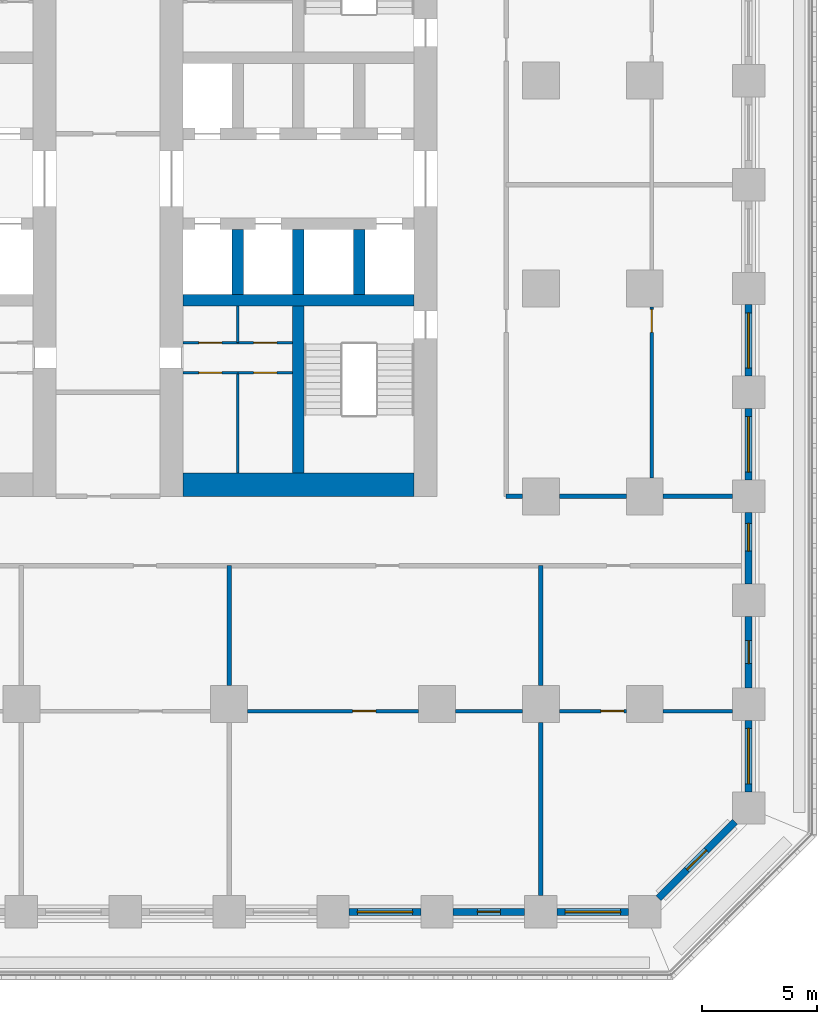
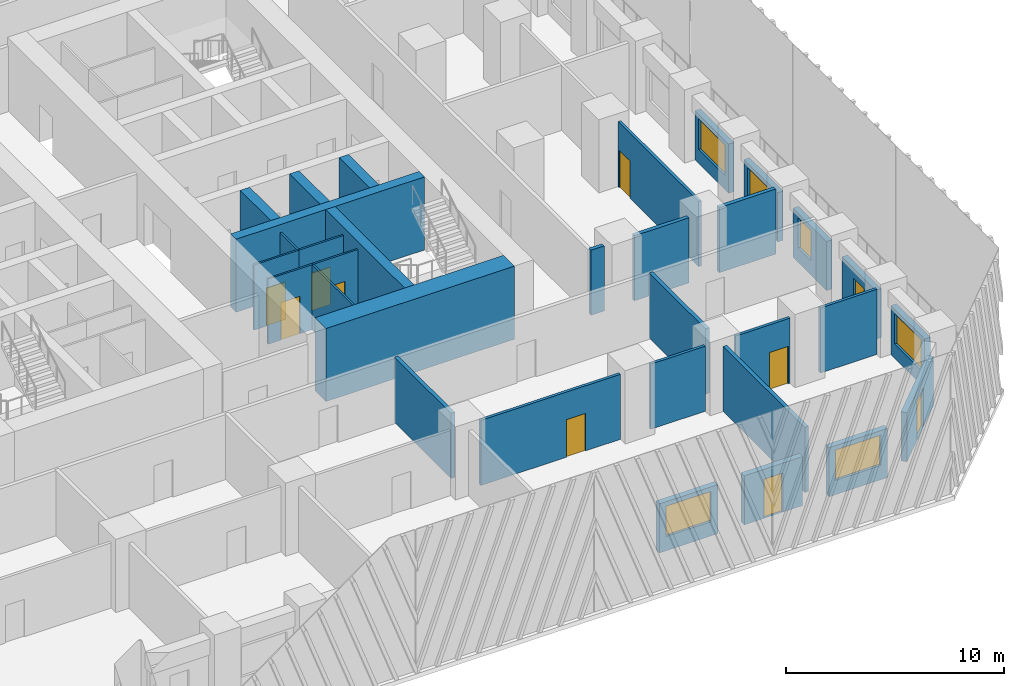
# One storey, part 4 of 14: 32 walls, 10 doors, 6 windows, 16 openings.
"""IFC4 building model written with IfcOpenShell, lengths in metres."""

from ifc_helpers import new_model, si_unit, direction, frame, frame_2d, origin, place, context, subcontext, project, spatial, rectangle, extrude, material, layer, layer_set, type_object, element, fill, save


model = new_model("IFC4")

# Units and contexts
model_context = context("Model", 3, precision=1e-05, world=origin(), true_north=direction((0.0, 1.0)))
body_context = subcontext(model_context, "Body", "Model", "MODEL_VIEW")
ifc_project = project(units=[si_unit("LENGTHUNIT", "METRE"), si_unit("AREAUNIT", "SQUARE_METRE"), si_unit("VOLUMEUNIT", "CUBIC_METRE"), si_unit("PLANEANGLEUNIT", "RADIAN"), si_unit("MASSUNIT", "GRAM", prefix="KILO")], contexts=[model_context])

# Site, building, storey
site_placement = place(None, origin())
site = spatial("IfcSite", under=ifc_project, at=site_placement, CompositionType="ELEMENT")
building_placement = place(site_placement, origin())
building = spatial("IfcBuilding", under=site, at=building_placement, Name="Corbel Stack Research Tower", CompositionType="ELEMENT")
storey_placement = place(building_placement, frame((0.0, 0.0, 58.300048828125)))
storey = spatial("IfcBuildingStorey", under=building, at=storey_placement, Name="L13", CompositionType="ELEMENT", Elevation=58.300048828125)

# Walls
ifc_material_1 = material(Name="Concrete C70/85", Category="concrete")
ifc_layer_1 = layer(ifc_material_1, 1.0)
ifc_layer_set_1 = layer_set([ifc_layer_1], Name="Concrete C70/85")
wall_type_1 = type_object("IfcWallType", Name="CW-1000-70", PredefinedType="SHEAR", material=ifc_layer_set_1)
wall_1_placement = place(storey_placement, frame((7.0, -8.5, 0.0), z_axis=(0.0, 0.0, 1.0), x_axis=(1.0, 0.0, 0.0)))
element("IfcWall", 1, at=wall_1_placement, inside=storey, type_object=wall_type_1, Name="East core wall, south end L13", PredefinedType="SHEAR", context=body_context, shape_type="SweptSolid", body=[
    extrude(rectangle(XDim=10.0, YDim=1.0, at=frame_2d((5.0, 0.0))), origin(), (0.0, 0.0, 1.0), 4.099853515625),
])
ifc_material_2 = material(Name="Concrete C70/85", Category="concrete")
ifc_layer_2 = layer(ifc_material_2, 0.5)
ifc_layer_set_2 = layer_set([ifc_layer_2], Name="Concrete C70/85")
wall_type_2 = type_object("IfcWallType", Name="CW-500-70", PredefinedType="SHEAR", material=ifc_layer_set_2)
wall_2_placement = place(storey_placement, frame((7.0, -0.5, 0.0), z_axis=(0.0, 0.0, 1.0), x_axis=(1.0, 0.0, 0.0)))
element("IfcWall", 2, at=wall_2_placement, inside=storey, type_object=wall_type_2, Name="East core wall, south row back L13", PredefinedType="SHEAR", context=body_context, shape_type="SweptSolid", body=[
    extrude(rectangle(XDim=10.0, YDim=0.5, at=frame_2d((5.0, 0.0))), origin(), (0.0, 0.0, 1.0), 4.099853515625),
])
for number, where, z_axis, x_axis, name in (
    (3, (9.375, -0.25, 0.0), (0.0, 0.0, 1.0), (0.0, 1.0, 0.0), "East core wall, south shaft 1 L13"),
    (4, (12.0, -0.25, 0.0), (0.0, 0.0, 1.0), (0.0, 1.0, 0.0), "East core wall, south shaft 2 L13"),
    (5, (14.625, -0.25, 0.0), (0.0, 0.0, 1.0), (0.0, 1.0, 0.0), "East core wall, south shaft 3 L13"),
):
    element("IfcWall", number, at=place(storey_placement, frame(where, z_axis=z_axis, x_axis=x_axis)), inside=storey, type_object=wall_type_2, Name=name, PredefinedType="SHEAR", context=body_context, shape_type="SweptSolid", body=[
        extrude(rectangle(XDim=2.800048828125, YDim=0.5, at=frame_2d((1.39990234375, 0.0))), origin(), (0.0, 0.0, 1.0), 4.099853515625),
    ])
wall_3_placement = place(storey_placement, frame((12.0, -8.0, 0.0), z_axis=(0.0, 0.0, 1.0), x_axis=(0.0, 1.0, 0.0)))
element("IfcWall", 6, at=wall_3_placement, inside=storey, type_object=wall_type_2, Name="East core wall, south stair and WC L13", PredefinedType="SHEAR", context=body_context, shape_type="SweptSolid", body=[
    extrude(rectangle(XDim=7.25, YDim=0.5, at=frame_2d((3.625, 0.0))), origin(), (0.0, 0.0, 1.0), 4.099853515625),
])

# Wall, opening, door
ifc_material_3 = material(Name="Gypsum board")
ifc_layer_3 = layer(ifc_material_3, 0.10009765625)
ifc_layer_set_3 = layer_set([ifc_layer_3], Name="Gypsum board")
wall_type_3 = type_object("IfcWallType", Name="Core partition 100", PredefinedType="PARTITIONING", material=ifc_layer_set_3)
wall_4_placement = place(storey_placement, frame((7.0, -3.64990234375, 0.0), z_axis=(0.0, 0.0, 1.0), x_axis=(1.0, 0.0, 0.0)))
wall_4 = element("IfcWall", 7, at=wall_4_placement, inside=storey, type_object=wall_type_3, Name="Core partition E", PredefinedType="PARTITIONING", context=body_context, shape_type="SweptSolid", body=[
    extrude(rectangle(XDim=2.375, YDim=0.10009765625, at=frame_2d((1.1875, 0.0))), origin(), (0.0, 0.0, 1.0), 3.64990234375),
])
opening_1_placement = place(wall_4_placement, frame((0.6875, 0.0, 0.0)))
opening_1 = element("IfcOpeningElement", 8, at=opening_1_placement, cuts=wall_4, Name="Opening CR-E54-W2-1000", PredefinedType="OPENING", context=body_context, shape_type="SweptSolid", body=[
    extrude(rectangle(XDim=1.0, YDim=2.10009765625, at=frame_2d((0.5, 1.050048828125))), frame((0.0, 0.06005859375, 0.0), z_axis=(0.0, -1.0, 0.0), x_axis=(1.0, 0.0, 0.0)), (0.0, 0.0, 1.0), 0.1201171875),
])
ifc_material_4 = material(Name="Painted timber door", Category="wood")
door_type_1 = type_object("IfcDoorType", Name="WC door 1000 x 2100 left hand", OperationType="SINGLE_SWING_LEFT", PredefinedType="DOOR", material=ifc_material_4)
door_1_placement = place(opening_1_placement, origin())
door_1 = element("IfcDoor", 9, at=door_1_placement, inside=storey, type_object=door_type_1, Name="Women's WC door E core", OperationType="SINGLE_SWING_LEFT", OverallHeight=2.10009765625, OverallWidth=1.0, PredefinedType="DOOR", context=body_context, shape_type="SweptSolid", body=[
    extrude(rectangle(XDim=1.0, YDim=2.10009765625, at=frame_2d((0.5, 1.050048828125))), frame((0.0, 0.02490234375, 0.0), z_axis=(0.0, -1.0, 0.0), x_axis=(1.0, 0.0, 0.0)), (0.0, 0.0, 1.0), 0.050048828125),
])
fill(opening_1, door_1)

wall_5_placement = place(storey_placement, frame((9.375, -3.64990234375, 0.0), z_axis=(0.0, 0.0, 1.0), x_axis=(1.0, 0.0, 0.0)))
wall_5 = element("IfcWall", 10, at=wall_5_placement, inside=storey, type_object=wall_type_3, Name="Core partition E", PredefinedType="PARTITIONING", context=body_context, shape_type="SweptSolid", body=[
    extrude(rectangle(XDim=2.375, YDim=0.10009765625, at=frame_2d((1.1875, 0.0))), origin(), (0.0, 0.0, 1.0), 3.64990234375),
])
opening_2_placement = place(wall_5_placement, frame((0.6875, 0.0, 0.0)))
opening_2 = element("IfcOpeningElement", 11, at=opening_2_placement, cuts=wall_5, Name="Opening CR-E54-W3-1000", PredefinedType="OPENING", context=body_context, shape_type="SweptSolid", body=[
    extrude(rectangle(XDim=1.0, YDim=2.10009765625, at=frame_2d((0.5, 1.050048828125))), frame((0.0, 0.06005859375, 0.0), z_axis=(0.0, -1.0, 0.0), x_axis=(1.0, 0.0, 0.0)), (0.0, 0.0, 1.0), 0.1201171875),
])
ifc_material_5 = material(Name="Painted timber door", Category="wood")
door_type_2 = type_object("IfcDoorType", Name="WC door 1000 x 2100 right hand", OperationType="SINGLE_SWING_RIGHT", PredefinedType="DOOR", material=ifc_material_5)
door_2_placement = place(opening_2_placement, origin())
door_2 = element("IfcDoor", 12, at=door_2_placement, inside=storey, type_object=door_type_2, Name="Men's WC door E core", OperationType="SINGLE_SWING_RIGHT", OverallHeight=2.10009765625, OverallWidth=1.0, PredefinedType="DOOR", context=body_context, shape_type="SweptSolid", body=[
    extrude(rectangle(XDim=1.0, YDim=2.10009765625, at=frame_2d((0.5, 1.050048828125))), frame((0.0, 0.02490234375, 0.0), z_axis=(0.0, -1.0, 0.0), x_axis=(1.0, 0.0, 0.0)), (0.0, 0.0, 1.0), 0.050048828125),
])
fill(opening_2, door_2)

wall_6_placement = place(storey_placement, frame((7.0, -2.344970703125, 0.0), z_axis=(0.0, 0.0, 1.0), x_axis=(1.0, 0.0, 0.0)))
wall_6 = element("IfcWall", 13, at=wall_6_placement, inside=storey, type_object=wall_type_3, Name="Core partition E", PredefinedType="PARTITIONING", context=body_context, shape_type="SweptSolid", body=[
    extrude(rectangle(XDim=2.375, YDim=0.10009765625, at=frame_2d((1.1875, 0.0))), origin(), (0.0, 0.0, 1.0), 3.64990234375),
])
opening_3_placement = place(wall_6_placement, frame((0.6875, 0.0, 0.0)))
opening_3 = element("IfcOpeningElement", 14, at=opening_3_placement, cuts=wall_6, Name="Opening CR-E54-W4-1000", PredefinedType="OPENING", context=body_context, shape_type="SweptSolid", body=[
    extrude(rectangle(XDim=1.0, YDim=2.10009765625, at=frame_2d((0.5, 1.050048828125))), frame((0.0, 0.06005859375, 0.0), z_axis=(0.0, -1.0, 0.0), x_axis=(1.0, 0.0, 0.0)), (0.0, 0.0, 1.0), 0.1201171875),
])
door_3_placement = place(opening_3_placement, origin())
door_3 = element("IfcDoor", 15, at=door_3_placement, inside=storey, type_object=door_type_1, Name="Accessible WC door E core", OperationType="SINGLE_SWING_LEFT", OverallHeight=2.10009765625, OverallWidth=1.0, PredefinedType="DOOR", context=body_context, shape_type="SweptSolid", body=[
    extrude(rectangle(XDim=1.0, YDim=2.10009765625, at=frame_2d((0.5, 1.050048828125))), frame((0.0, 0.02490234375, 0.0), z_axis=(0.0, -1.0, 0.0), x_axis=(1.0, 0.0, 0.0)), (0.0, 0.0, 1.0), 0.050048828125),
])
fill(opening_3, door_3)

wall_7_placement = place(storey_placement, frame((9.375, -2.344970703125, 0.0), z_axis=(0.0, 0.0, 1.0), x_axis=(1.0, 0.0, 0.0)))
wall_7 = element("IfcWall", 16, at=wall_7_placement, inside=storey, type_object=wall_type_3, Name="Core partition E", PredefinedType="PARTITIONING", context=body_context, shape_type="SweptSolid", body=[
    extrude(rectangle(XDim=2.375, YDim=0.10009765625, at=frame_2d((1.1875, 0.0))), origin(), (0.0, 0.0, 1.0), 3.64990234375),
])
opening_4_placement = place(wall_7_placement, frame((0.6875, 0.0, 0.0)))
opening_4 = element("IfcOpeningElement", 17, at=opening_4_placement, cuts=wall_7, Name="Opening CR-E54-W5-1000", PredefinedType="OPENING", context=body_context, shape_type="SweptSolid", body=[
    extrude(rectangle(XDim=1.0, YDim=2.10009765625, at=frame_2d((0.5, 1.050048828125))), frame((0.0, 0.06005859375, 0.0), z_axis=(0.0, -1.0, 0.0), x_axis=(1.0, 0.0, 0.0)), (0.0, 0.0, 1.0), 0.1201171875),
])
door_4_placement = place(opening_4_placement, origin())
door_4 = element("IfcDoor", 18, at=door_4_placement, inside=storey, type_object=door_type_2, Name="Shower and changing room door E core", OperationType="SINGLE_SWING_RIGHT", OverallHeight=2.10009765625, OverallWidth=1.0, PredefinedType="DOOR", context=body_context, shape_type="SweptSolid", body=[
    extrude(rectangle(XDim=1.0, YDim=2.10009765625, at=frame_2d((0.5, 1.050048828125))), frame((0.0, 0.02490234375, 0.0), z_axis=(0.0, -1.0, 0.0), x_axis=(1.0, 0.0, 0.0)), (0.0, 0.0, 1.0), 0.050048828125),
])
fill(opening_4, door_4)

# Walls
wall_8_placement = place(storey_placement, frame((9.375, -8.0, 0.0), z_axis=(0.0, 0.0, 1.0), x_axis=(0.0, 1.0, 0.0)))
element("IfcWall", 19, at=wall_8_placement, inside=storey, type_object=wall_type_3, Name="Core partition E", PredefinedType="PARTITIONING", context=body_context, shape_type="SweptSolid", body=[
    extrude(rectangle(XDim=4.35009765625, YDim=0.10009765625, at=frame_2d((2.175048828125, 0.0))), origin(), (0.0, 0.0, 1.0), 3.64990234375),
])
wall_9_placement = place(storey_placement, frame((9.375, -2.344970703125, 0.0), z_axis=(0.0, 0.0, 1.0), x_axis=(0.0, 1.0, 0.0)))
element("IfcWall", 20, at=wall_9_placement, inside=storey, type_object=wall_type_3, Name="Core partition E", PredefinedType="PARTITIONING", context=body_context, shape_type="SweptSolid", body=[
    extrude(rectangle(XDim=1.594970703125, YDim=0.10009765625, at=frame_2d((0.79736328125, 0.0))), origin(), (0.0, 0.0, 1.0), 3.64990234375),
])
ifc_material_6 = material(Name="Fire-rated gypsum board partition on steel studs", Category="steel")
ifc_layer_4 = layer(ifc_material_6, 0.199951171875)
ifc_layer_set_4 = layer_set([ifc_layer_4], Name="Fire-rated gypsum board partition on steel studs")
wall_type_4 = type_object("IfcWallType", Name="Fire-rated partition 200 EI 60", PredefinedType="PARTITIONING", material=ifc_layer_set_4)
wall_10_placement = place(storey_placement, frame((9.0, -17.199951171875, 0.0), z_axis=(0.0, 0.0, 1.0), x_axis=(0.0, 1.0, 0.0)))
element("IfcWall", 21, at=wall_10_placement, inside=storey, type_object=wall_type_4, Name="Partition L13-009", PredefinedType="PARTITIONING", context=body_context, shape_type="SweptSolid", body=[
    extrude(rectangle(XDim=5.199951171875, YDim=0.199951171875, at=frame_2d((2.60009765625, 0.0))), origin(), (0.0, 0.0, 1.0), 3.64990234375),
])
wall_11_placement = place(storey_placement, frame((22.5, -26.300048828125, 0.0), z_axis=(0.0, 0.0, 1.0), x_axis=(0.0, 1.0, 0.0)))
element("IfcWall", 22, at=wall_11_placement, inside=storey, type_object=wall_type_4, Name="Partition L13-012", PredefinedType="PARTITIONING", context=body_context, shape_type="SweptSolid", body=[
    extrude(rectangle(XDim=7.5, YDim=0.199951171875, at=frame_2d((3.75, 0.0))), origin(), (0.0, 0.0, 1.0), 3.64990234375),
])
wall_12_placement = place(storey_placement, frame((22.5, -17.199951171875, 0.0), z_axis=(0.0, 0.0, 1.0), x_axis=(0.0, 1.0, 0.0)))
element("IfcWall", 23, at=wall_12_placement, inside=storey, type_object=wall_type_4, Name="Partition L13-013", PredefinedType="PARTITIONING", context=body_context, shape_type="SweptSolid", body=[
    extrude(rectangle(XDim=5.199951171875, YDim=0.199951171875, at=frame_2d((2.60009765625, 0.0))), origin(), (0.0, 0.0, 1.0), 3.64990234375),
])
wall_13_placement = place(storey_placement, frame((21.0, -9.0, 0.0), z_axis=(0.0, 0.0, 1.0), x_axis=(1.0, 0.0, 0.0)))
element("IfcWall", 24, at=wall_13_placement, inside=storey, type_object=wall_type_4, Name="Partition L13-030", PredefinedType="PARTITIONING", context=body_context, shape_type="SweptSolid", body=[
    extrude(rectangle(XDim=0.699951171875, YDim=0.199951171875, at=frame_2d((0.35009765625, 0.0))), origin(), (0.0, 0.0, 1.0), 3.64990234375),
])
wall_14_placement = place(storey_placement, frame((23.300048828125, -9.0, 0.0), z_axis=(0.0, 0.0, 1.0), x_axis=(1.0, 0.0, 0.0)))
element("IfcWall", 25, at=wall_14_placement, inside=storey, type_object=wall_type_4, Name="Partition L13-031", PredefinedType="PARTITIONING", context=body_context, shape_type="SweptSolid", body=[
    extrude(rectangle(XDim=2.89990234375, YDim=0.199951171875, at=frame_2d((1.449951171875, 0.0))), origin(), (0.0, 0.0, 1.0), 3.64990234375),
])
wall_15_placement = place(storey_placement, frame((27.800048828125, -9.0, 0.0), z_axis=(0.0, 0.0, 1.0), x_axis=(1.0, 0.0, 0.0)))
element("IfcWall", 26, at=wall_15_placement, inside=storey, type_object=wall_type_4, Name="Partition L13-032", PredefinedType="PARTITIONING", context=body_context, shape_type="SweptSolid", body=[
    extrude(rectangle(XDim=3.0, YDim=0.199951171875, at=frame_2d((1.5, 0.0))), origin(), (0.0, 0.0, 1.0), 3.64990234375),
])

# Wall, opening, door
ifc_material_7 = material(Name="Gypsum board partition on steel studs", Category="steel")
ifc_layer_5 = layer(ifc_material_7, 0.14990234375)
ifc_layer_set_5 = layer_set([ifc_layer_5], Name="Gypsum board partition on steel studs")
wall_type_5 = type_object("IfcWallType", Name="Partition 150", PredefinedType="PARTITIONING", material=ifc_layer_set_5)
wall_16_placement = place(storey_placement, frame((27.300048828125, -0.800048828125, 0.0), z_axis=(0.0, 0.0, 1.0), x_axis=(0.0, -1.0, 0.0)))
wall_16 = element("IfcWall", 27, at=wall_16_placement, inside=storey, type_object=wall_type_5, Name="Partition L13-015", PredefinedType="PARTITIONING", context=body_context, shape_type="SweptSolid", body=[
    extrude(rectangle(XDim=7.39990234375, YDim=0.14990234375, at=frame_2d((3.699951171875, 0.0))), origin(), (0.0, 0.0, 1.0), 3.64990234375),
])
opening_5_placement = place(wall_16_placement, frame((0.10009765625, 0.0, 0.0)))
opening_5 = element("IfcOpeningElement", 28, at=opening_5_placement, cuts=wall_16, Name="Opening B2V2-024", PredefinedType="OPENING", context=body_context, shape_type="SweptSolid", body=[
    extrude(rectangle(XDim=1.0, YDim=2.10009765625, at=frame_2d((0.5, 1.050048828125))), frame((0.0, 0.0849609375, 0.0), z_axis=(0.0, -1.0, 0.0), x_axis=(1.0, 0.0, 0.0)), (0.0, 0.0, 1.0), 0.169921875),
])
ifc_material_8 = material(Name="Painted timber door", Category="wood")
door_type_3 = type_object("IfcDoorType", Name="Single door 1000 x 2100", OperationType="NOTDEFINED", PredefinedType="DOOR", material=ifc_material_8)
door_5_placement = place(opening_5_placement, origin())
door_5 = element("IfcDoor", 29, at=door_5_placement, inside=storey, type_object=door_type_3, Name="Door B2V2-024", OperationType="SINGLE_SWING_LEFT", OverallHeight=2.10009765625, OverallWidth=1.0, PredefinedType="DOOR", context=body_context, shape_type="SweptSolid", body=[
    extrude(rectangle(XDim=1.0, YDim=2.10009765625, at=frame_2d((0.5, 1.050048828125))), frame((0.0, 0.02490234375, 0.0), z_axis=(0.0, -1.0, 0.0), x_axis=(1.0, 0.0, 0.0)), (0.0, 0.0, 1.0), 0.050048828125),
])
fill(opening_5, door_5)

wall_17_placement = place(storey_placement, frame((17.199951171875, -18.300048828125, 0.0), z_axis=(0.0, 0.0, 1.0), x_axis=(-1.0, 0.0, 0.0)))
wall_17 = element("IfcWall", 30, at=wall_17_placement, inside=storey, type_object=wall_type_5, Name="Partition L13-022", PredefinedType="PARTITIONING", context=body_context, shape_type="SweptSolid", body=[
    extrude(rectangle(XDim=7.39990234375, YDim=0.14990234375, at=frame_2d((3.699951171875, 0.0))), origin(), (0.0, 0.0, 1.0), 3.64990234375),
])
opening_6_placement = place(wall_17_placement, frame((1.85009765625, 0.0, 0.0)))
opening_6 = element("IfcOpeningElement", 31, at=opening_6_placement, cuts=wall_17, Name="Opening B2V2-004", PredefinedType="OPENING", context=body_context, shape_type="SweptSolid", body=[
    extrude(rectangle(XDim=1.0, YDim=2.10009765625, at=frame_2d((0.5, 1.050048828125))), frame((0.0, 0.0849609375, 0.0), z_axis=(0.0, -1.0, 0.0), x_axis=(1.0, 0.0, 0.0)), (0.0, 0.0, 1.0), 0.169921875),
])
door_6_placement = place(opening_6_placement, origin())
door_6 = element("IfcDoor", 32, at=door_6_placement, inside=storey, type_object=door_type_3, Name="Door B2V2-004", OperationType="SINGLE_SWING_LEFT", OverallHeight=2.10009765625, OverallWidth=1.0, PredefinedType="DOOR", context=body_context, shape_type="SweptSolid", body=[
    extrude(rectangle(XDim=1.0, YDim=2.10009765625, at=frame_2d((0.5, 1.050048828125))), frame((0.0, 0.02490234375, 0.0), z_axis=(0.0, -1.0, 0.0), x_axis=(1.0, 0.0, 0.0)), (0.0, 0.0, 1.0), 0.050048828125),
])
fill(opening_6, door_6)

# Wall
wall_18_placement = place(storey_placement, frame((18.800048828125, -18.300048828125, 0.0), z_axis=(0.0, 0.0, 1.0), x_axis=(1.0, 0.0, 0.0)))
element("IfcWall", 33, at=wall_18_placement, inside=storey, type_object=wall_type_5, Name="Partition L13-023", PredefinedType="PARTITIONING", context=body_context, shape_type="SweptSolid", body=[
    extrude(rectangle(XDim=2.89990234375, YDim=0.14990234375, at=frame_2d((1.449951171875, 0.0))), origin(), (0.0, 0.0, 1.0), 3.64990234375),
])

# Wall, opening, door
wall_19_placement = place(storey_placement, frame((26.199951171875, -18.300048828125, 0.0), z_axis=(0.0, 0.0, 1.0), x_axis=(-1.0, 0.0, 0.0)))
wall_19 = element("IfcWall", 34, at=wall_19_placement, inside=storey, type_object=wall_type_5, Name="Partition L13-024", PredefinedType="PARTITIONING", context=body_context, shape_type="SweptSolid", body=[
    extrude(rectangle(XDim=2.89990234375, YDim=0.14990234375, at=frame_2d((1.449951171875, 0.0))), origin(), (0.0, 0.0, 1.0), 3.64990234375),
])
opening_7_placement = place(wall_19_placement, frame((0.10009765625, 0.0, 0.0)))
opening_7 = element("IfcOpeningElement", 35, at=opening_7_placement, cuts=wall_19, Name="Opening B2V2-005", PredefinedType="OPENING", context=body_context, shape_type="SweptSolid", body=[
    extrude(rectangle(XDim=1.0, YDim=2.10009765625, at=frame_2d((0.5, 1.050048828125))), frame((0.0, 0.0849609375, 0.0), z_axis=(0.0, -1.0, 0.0), x_axis=(1.0, 0.0, 0.0)), (0.0, 0.0, 1.0), 0.169921875),
])
door_7_placement = place(opening_7_placement, origin())
door_7 = element("IfcDoor", 36, at=door_7_placement, inside=storey, type_object=door_type_3, Name="Door B2V2-005", OperationType="SINGLE_SWING_LEFT", OverallHeight=2.10009765625, OverallWidth=1.0, PredefinedType="DOOR", context=body_context, shape_type="SweptSolid", body=[
    extrude(rectangle(XDim=1.0, YDim=2.10009765625, at=frame_2d((0.5, 1.050048828125))), frame((0.0, 0.02490234375, 0.0), z_axis=(0.0, -1.0, 0.0), x_axis=(1.0, 0.0, 0.0)), (0.0, 0.0, 1.0), 0.050048828125),
])
fill(opening_7, door_7)

# Wall
wall_20_placement = place(storey_placement, frame((27.800048828125, -18.300048828125, 0.0), z_axis=(0.0, 0.0, 1.0), x_axis=(1.0, 0.0, 0.0)))
element("IfcWall", 37, at=wall_20_placement, inside=storey, type_object=wall_type_5, Name="Partition L13-025", PredefinedType="PARTITIONING", context=body_context, shape_type="SweptSolid", body=[
    extrude(rectangle(XDim=3.0, YDim=0.14990234375, at=frame_2d((1.5, 0.0))), origin(), (0.0, 0.0, 1.0), 3.64990234375),
])

# Wall, opening, window
ifc_material_9 = material(Name="Concrete C45/55", Category="concrete")
ifc_layer_6 = layer(ifc_material_9, 0.300048828125)
ifc_layer_set_6 = layer_set([ifc_layer_6], Name="Concrete C45/55")
wall_type_6 = type_object("IfcWallType", Name="Terracotta-faced concrete wall 300", PredefinedType="SOLIDWALL", material=ifc_layer_set_6)
wall_21_placement = place(storey_placement, frame((17.300048828125, -27.0, 0.0), z_axis=(0.0, 0.0, 1.0), x_axis=(-1.0, 0.0, 0.0)))
wall_21 = element("IfcWall", 38, at=wall_21_placement, inside=storey, type_object=wall_type_6, Name="Facade wall L13 S08", PredefinedType="SOLIDWALL", context=body_context, shape_type="SweptSolid", body=[
    extrude(rectangle(XDim=3.10009765625, YDim=0.300048828125, at=frame_2d((1.550048828125, 0.0))), origin(), (0.0, 0.0, 1.0), 2.75),
])
opening_8_placement = place(wall_21_placement, frame((0.35009765625, 0.0, 0.800048828125)))
opening_8 = element("IfcOpeningElement", 39, at=opening_8_placement, cuts=wall_21, Name="Opening W1", PredefinedType="OPENING", context=body_context, shape_type="SweptSolid", body=[
    extrude(rectangle(XDim=2.39990234375, YDim=1.699951171875, at=frame_2d((1.199951171875, 0.85009765625))), frame((0.0, 0.159912109375, 0.0), z_axis=(0.0, -1.0, 0.0), x_axis=(1.0, 0.0, 0.0)), (0.0, 0.0, 1.0), 0.320068359375),
])
ifc_material_10 = material(Name="Aluminium frame, clear double glazing", Category="aluminium")
window_type_1 = type_object("IfcWindowType", Name="Window W1 2400 x 1700", PartitioningType="SINGLE_PANEL", PredefinedType="WINDOW", material=ifc_material_10)
window_1_placement = place(opening_8_placement, origin())
window_1 = element("IfcWindow", 40, at=window_1_placement, inside=storey, type_object=window_type_1, Name="Window W1 L13 S08", OverallHeight=1.699951171875, OverallWidth=2.39990234375, PartitioningType="SINGLE_PANEL", PredefinedType="WINDOW", context=body_context, shape_type="SweptSolid", body=[
    extrude(rectangle(XDim=2.39990234375, YDim=1.699951171875, at=frame_2d((1.199951171875, 0.85009765625))), frame((0.0, 0.030029296875, 0.0), z_axis=(0.0, -1.0, 0.0), x_axis=(1.0, 0.0, 0.0)), (0.0, 0.0, 1.0), 0.06005859375),
])
fill(opening_8, window_1)

# Wall, opening, door
wall_22_placement = place(storey_placement, frame((21.800048828125, -27.0, 0.0), z_axis=(0.0, 0.0, 1.0), x_axis=(-1.0, 0.0, 0.0)))
wall_22 = element("IfcWall", 41, at=wall_22_placement, inside=storey, type_object=wall_type_6, Name="Facade wall L13 S09", PredefinedType="SOLIDWALL", context=body_context, shape_type="SweptSolid", body=[
    extrude(rectangle(XDim=3.10009765625, YDim=0.300048828125, at=frame_2d((1.550048828125, 0.0))), origin(), (0.0, 0.0, 1.0), 2.75),
])
opening_9_placement = place(wall_22_placement, frame((1.050048828125, 0.0, 0.0)))
opening_9 = element("IfcOpeningElement", 42, at=opening_9_placement, cuts=wall_22, Name="Opening L13-B02", PredefinedType="OPENING", context=body_context, shape_type="SweptSolid", body=[
    extrude(rectangle(XDim=1.0, YDim=2.199951171875, at=frame_2d((0.5, 1.10009765625))), frame((0.0, 0.159912109375, 0.0), z_axis=(0.0, -1.0, 0.0), x_axis=(1.0, 0.0, 0.0)), (0.0, 0.0, 1.0), 0.320068359375),
])
ifc_material_11 = material(Name="Aluminium frame, clear double glazing", Category="aluminium")
door_type_4 = type_object("IfcDoorType", Name="Balcony door BD1 1000 x 2200", OperationType="NOTDEFINED", PredefinedType="DOOR", material=ifc_material_11)
door_8_placement = place(opening_9_placement, origin())
door_8 = element("IfcDoor", 43, at=door_8_placement, inside=storey, type_object=door_type_4, Name="Balcony door L13-B02", OperationType="SINGLE_SWING_RIGHT", OverallHeight=2.199951171875, OverallWidth=1.0, PredefinedType="DOOR", context=body_context, shape_type="SweptSolid", body=[
    extrude(rectangle(XDim=1.0, YDim=2.199951171875, at=frame_2d((0.5, 1.10009765625))), frame((0.0, 0.02490234375, 0.0), z_axis=(0.0, -1.0, 0.0), x_axis=(1.0, 0.0, 0.0)), (0.0, 0.0, 1.0), 0.050048828125),
])
fill(opening_9, door_8)

# Wall, opening, window
wall_23_placement = place(storey_placement, frame((26.300048828125, -27.0, 0.0), z_axis=(0.0, 0.0, 1.0), x_axis=(-1.0, 0.0, 0.0)))
wall_23 = element("IfcWall", 44, at=wall_23_placement, inside=storey, type_object=wall_type_6, Name="Facade wall L13 S10", PredefinedType="SOLIDWALL", context=body_context, shape_type="SweptSolid", body=[
    extrude(rectangle(XDim=3.10009765625, YDim=0.300048828125, at=frame_2d((1.550048828125, 0.0))), origin(), (0.0, 0.0, 1.0), 2.75),
])
opening_10_placement = place(wall_23_placement, frame((0.35009765625, 0.0, 0.800048828125)))
opening_10 = element("IfcOpeningElement", 45, at=opening_10_placement, cuts=wall_23, Name="Opening W1", PredefinedType="OPENING", context=body_context, shape_type="SweptSolid", body=[
    extrude(rectangle(XDim=2.39990234375, YDim=1.699951171875, at=frame_2d((1.199951171875, 0.85009765625))), frame((0.0, 0.159912109375, 0.0), z_axis=(0.0, -1.0, 0.0), x_axis=(1.0, 0.0, 0.0)), (0.0, 0.0, 1.0), 0.320068359375),
])
window_2_placement = place(opening_10_placement, origin())
window_2 = element("IfcWindow", 46, at=window_2_placement, inside=storey, type_object=window_type_1, Name="Window W1 L13 S10", OverallHeight=1.699951171875, OverallWidth=2.39990234375, PartitioningType="SINGLE_PANEL", PredefinedType="WINDOW", context=body_context, shape_type="SweptSolid", body=[
    extrude(rectangle(XDim=2.39990234375, YDim=1.699951171875, at=frame_2d((1.199951171875, 0.85009765625))), frame((0.0, 0.030029296875, 0.0), z_axis=(0.0, -1.0, 0.0), x_axis=(1.0, 0.0, 0.0)), (0.0, 0.0, 1.0), 0.06005859375),
])
fill(opening_10, window_2)

# Wall, opening, door
wall_24_placement = place(storey_placement, frame((30.906005859375, -23.093994140625, 0.0), z_axis=(0.0, 0.0, 1.0), x_axis=(-0.707106781187, -0.707106781187, 0.0)))
wall_24 = element("IfcWall", 47, at=wall_24_placement, inside=storey, type_object=wall_type_6, Name="Facade wall L13 SE01", PredefinedType="SOLIDWALL", context=body_context, shape_type="SweptSolid", body=[
    extrude(rectangle(XDim=4.683837890625, YDim=0.300048828125, at=frame_2d((2.341796875, 0.0))), origin(), (0.0, 0.0, 1.0), 2.75),
])
opening_11_placement = place(wall_24_placement, frame((1.741943359375, 0.0, 0.0)))
opening_11 = element("IfcOpeningElement", 48, at=opening_11_placement, cuts=wall_24, Name="Opening L13-B03", PredefinedType="OPENING", context=body_context, shape_type="SweptSolid", body=[
    extrude(rectangle(XDim=1.199951171875, YDim=2.199951171875, at=frame_2d((0.60009765625, 1.10009765625))), frame((0.0, 0.159912109375, 0.0), z_axis=(0.0, -1.0, 0.0), x_axis=(1.0, 0.0, 0.0)), (0.0, 0.0, 1.0), 0.320068359375),
])
ifc_material_12 = material(Name="Aluminium frame, clear double glazing", Category="aluminium")
door_type_5 = type_object("IfcDoorType", Name="Balcony door BD2 1200 x 2200", OperationType="NOTDEFINED", PredefinedType="DOOR", material=ifc_material_12)
door_9_placement = place(opening_11_placement, origin())
door_9 = element("IfcDoor", 49, at=door_9_placement, inside=storey, type_object=door_type_5, Name="Balcony door L13-B03", OperationType="SINGLE_SWING_RIGHT", OverallHeight=2.199951171875, OverallWidth=1.199951171875, PredefinedType="DOOR", context=body_context, shape_type="SweptSolid", body=[
    extrude(rectangle(XDim=1.199951171875, YDim=2.199951171875, at=frame_2d((0.60009765625, 1.10009765625))), frame((0.0, 0.02490234375, 0.0), z_axis=(0.0, -1.0, 0.0), x_axis=(1.0, 0.0, 0.0)), (0.0, 0.0, 1.0), 0.050048828125),
])
fill(opening_11, door_9)

# Wall, opening, window
wall_25_placement = place(storey_placement, frame((31.5, -18.699951171875, 0.0), z_axis=(0.0, 0.0, 1.0), x_axis=(0.0, -1.0, 0.0)))
wall_25 = element("IfcWall", 50, at=wall_25_placement, inside=storey, type_object=wall_type_6, Name="Facade wall L13 E01", PredefinedType="SOLIDWALL", context=body_context, shape_type="SweptSolid", body=[
    extrude(rectangle(XDim=3.10009765625, YDim=0.300048828125, at=frame_2d((1.550048828125, 0.0))), origin(), (0.0, 0.0, 1.0), 2.75),
])
opening_12_placement = place(wall_25_placement, frame((0.35009765625, 0.0, 0.800048828125)))
opening_12 = element("IfcOpeningElement", 51, at=opening_12_placement, cuts=wall_25, Name="Opening W1", PredefinedType="OPENING", context=body_context, shape_type="SweptSolid", body=[
    extrude(rectangle(XDim=2.39990234375, YDim=1.699951171875, at=frame_2d((1.199951171875, 0.85009765625))), frame((0.0, 0.159912109375, 0.0), z_axis=(0.0, -1.0, 0.0), x_axis=(1.0, 0.0, 0.0)), (0.0, 0.0, 1.0), 0.320068359375),
])
window_3_placement = place(opening_12_placement, origin())
window_3 = element("IfcWindow", 52, at=window_3_placement, inside=storey, type_object=window_type_1, Name="Window W1 L13 E01", OverallHeight=1.699951171875, OverallWidth=2.39990234375, PartitioningType="SINGLE_PANEL", PredefinedType="WINDOW", context=body_context, shape_type="SweptSolid", body=[
    extrude(rectangle(XDim=2.39990234375, YDim=1.699951171875, at=frame_2d((1.199951171875, 0.85009765625))), frame((0.0, 0.030029296875, 0.0), z_axis=(0.0, -1.0, 0.0), x_axis=(1.0, 0.0, 0.0)), (0.0, 0.0, 1.0), 0.06005859375),
])
fill(opening_12, window_3)

# Wall, opening, door
wall_26_placement = place(storey_placement, frame((31.5, -14.199951171875, 0.0), z_axis=(0.0, 0.0, 1.0), x_axis=(0.0, -1.0, 0.0)))
wall_26 = element("IfcWall", 53, at=wall_26_placement, inside=storey, type_object=wall_type_6, Name="Facade wall L13 E02", PredefinedType="SOLIDWALL", context=body_context, shape_type="SweptSolid", body=[
    extrude(rectangle(XDim=3.10009765625, YDim=0.300048828125, at=frame_2d((1.550048828125, 0.0))), origin(), (0.0, 0.0, 1.0), 2.75),
])
opening_13_placement = place(wall_26_placement, frame((1.050048828125, 0.0, 0.0)))
opening_13 = element("IfcOpeningElement", 54, at=opening_13_placement, cuts=wall_26, Name="Opening L13-B04", PredefinedType="OPENING", context=body_context, shape_type="SweptSolid", body=[
    extrude(rectangle(XDim=1.0, YDim=2.199951171875, at=frame_2d((0.5, 1.10009765625))), frame((0.0, 0.159912109375, 0.0), z_axis=(0.0, -1.0, 0.0), x_axis=(1.0, 0.0, 0.0)), (0.0, 0.0, 1.0), 0.320068359375),
])
door_10_placement = place(opening_13_placement, origin())
door_10 = element("IfcDoor", 55, at=door_10_placement, inside=storey, type_object=door_type_4, Name="Balcony door L13-B04", OperationType="SINGLE_SWING_LEFT", OverallHeight=2.199951171875, OverallWidth=1.0, PredefinedType="DOOR", context=body_context, shape_type="SweptSolid", body=[
    extrude(rectangle(XDim=1.0, YDim=2.199951171875, at=frame_2d((0.5, 1.10009765625))), frame((0.0, 0.02490234375, 0.0), z_axis=(0.0, -1.0, 0.0), x_axis=(1.0, 0.0, 0.0)), (0.0, 0.0, 1.0), 0.050048828125),
])
fill(opening_13, door_10)

# Wall, opening, window
wall_27_placement = place(storey_placement, frame((31.5, -9.699951171875, 0.0), z_axis=(0.0, 0.0, 1.0), x_axis=(0.0, -1.0, 0.0)))
wall_27 = element("IfcWall", 56, at=wall_27_placement, inside=storey, type_object=wall_type_6, Name="Facade wall L13 E03", PredefinedType="SOLIDWALL", context=body_context, shape_type="SweptSolid", body=[
    extrude(rectangle(XDim=3.10009765625, YDim=0.300048828125, at=frame_2d((1.550048828125, 0.0))), origin(), (0.0, 0.0, 1.0), 2.75),
])
opening_14_placement = place(wall_27_placement, frame((0.47509765625, 0.0, 0.800048828125)))
opening_14 = element("IfcOpeningElement", 57, at=opening_14_placement, cuts=wall_27, Name="Opening W2", PredefinedType="OPENING", context=body_context, shape_type="SweptSolid", body=[
    extrude(rectangle(XDim=1.199951171875, YDim=1.699951171875, at=frame_2d((0.60009765625, 0.85009765625))), frame((0.0, 0.159912109375, 0.0), z_axis=(0.0, -1.0, 0.0), x_axis=(1.0, 0.0, 0.0)), (0.0, 0.0, 1.0), 0.320068359375),
])
ifc_material_13 = material(Name="Aluminium frame, clear double glazing", Category="aluminium")
window_type_2 = type_object("IfcWindowType", Name="Window W2 1200 x 1700", PartitioningType="SINGLE_PANEL", PredefinedType="WINDOW", material=ifc_material_13)
window_4_placement = place(opening_14_placement, origin())
window_4 = element("IfcWindow", 58, at=window_4_placement, inside=storey, type_object=window_type_2, Name="Window W2 L13 E03", OverallHeight=1.699951171875, OverallWidth=1.199951171875, PartitioningType="SINGLE_PANEL", PredefinedType="WINDOW", context=body_context, shape_type="SweptSolid", body=[
    extrude(rectangle(XDim=1.199951171875, YDim=1.699951171875, at=frame_2d((0.60009765625, 0.85009765625))), frame((0.0, 0.030029296875, 0.0), z_axis=(0.0, -1.0, 0.0), x_axis=(1.0, 0.0, 0.0)), (0.0, 0.0, 1.0), 0.06005859375),
])
fill(opening_14, window_4)

wall_28_placement = place(storey_placement, frame((31.5, -5.199951171875, 0.0), z_axis=(0.0, 0.0, 1.0), x_axis=(0.0, -1.0, 0.0)))
wall_28 = element("IfcWall", 59, at=wall_28_placement, inside=storey, type_object=wall_type_6, Name="Facade wall L13 E04", PredefinedType="SOLIDWALL", context=body_context, shape_type="SweptSolid", body=[
    extrude(rectangle(XDim=3.10009765625, YDim=0.300048828125, at=frame_2d((1.550048828125, 0.0))), origin(), (0.0, 0.0, 1.0), 2.75),
])
opening_15_placement = place(wall_28_placement, frame((0.35009765625, 0.0, 0.800048828125)))
opening_15 = element("IfcOpeningElement", 60, at=opening_15_placement, cuts=wall_28, Name="Opening W1", PredefinedType="OPENING", context=body_context, shape_type="SweptSolid", body=[
    extrude(rectangle(XDim=2.39990234375, YDim=1.699951171875, at=frame_2d((1.199951171875, 0.85009765625))), frame((0.0, 0.159912109375, 0.0), z_axis=(0.0, -1.0, 0.0), x_axis=(1.0, 0.0, 0.0)), (0.0, 0.0, 1.0), 0.320068359375),
])
window_5_placement = place(opening_15_placement, origin())
window_5 = element("IfcWindow", 61, at=window_5_placement, inside=storey, type_object=window_type_1, Name="Window W1 L13 E04", OverallHeight=1.699951171875, OverallWidth=2.39990234375, PartitioningType="SINGLE_PANEL", PredefinedType="WINDOW", context=body_context, shape_type="SweptSolid", body=[
    extrude(rectangle(XDim=2.39990234375, YDim=1.699951171875, at=frame_2d((1.199951171875, 0.85009765625))), frame((0.0, 0.030029296875, 0.0), z_axis=(0.0, -1.0, 0.0), x_axis=(1.0, 0.0, 0.0)), (0.0, 0.0, 1.0), 0.06005859375),
])
fill(opening_15, window_5)

wall_29_placement = place(storey_placement, frame((31.5, -0.699951171875, 0.0), z_axis=(0.0, 0.0, 1.0), x_axis=(0.0, -1.0, 0.0)))
wall_29 = element("IfcWall", 62, at=wall_29_placement, inside=storey, type_object=wall_type_6, Name="Facade wall L13 E05", PredefinedType="SOLIDWALL", context=body_context, shape_type="SweptSolid", body=[
    extrude(rectangle(XDim=3.10009765625, YDim=0.300048828125, at=frame_2d((1.550048828125, 0.0))), origin(), (0.0, 0.0, 1.0), 2.75),
])
opening_16_placement = place(wall_29_placement, frame((0.35009765625, 0.0, 0.800048828125)))
opening_16 = element("IfcOpeningElement", 63, at=opening_16_placement, cuts=wall_29, Name="Opening W1", PredefinedType="OPENING", context=body_context, shape_type="SweptSolid", body=[
    extrude(rectangle(XDim=2.39990234375, YDim=1.699951171875, at=frame_2d((1.199951171875, 0.85009765625))), frame((0.0, 0.159912109375, 0.0), z_axis=(0.0, -1.0, 0.0), x_axis=(1.0, 0.0, 0.0)), (0.0, 0.0, 1.0), 0.320068359375),
])
window_6_placement = place(opening_16_placement, origin())
window_6 = element("IfcWindow", 64, at=window_6_placement, inside=storey, type_object=window_type_1, Name="Window W1 L13 E05", OverallHeight=1.699951171875, OverallWidth=2.39990234375, PartitioningType="SINGLE_PANEL", PredefinedType="WINDOW", context=body_context, shape_type="SweptSolid", body=[
    extrude(rectangle(XDim=2.39990234375, YDim=1.699951171875, at=frame_2d((1.199951171875, 0.85009765625))), frame((0.0, 0.030029296875, 0.0), z_axis=(0.0, -1.0, 0.0), x_axis=(1.0, 0.0, 0.0)), (0.0, 0.0, 1.0), 0.06005859375),
])
fill(opening_16, window_6)

save(model, "model.ifc")
